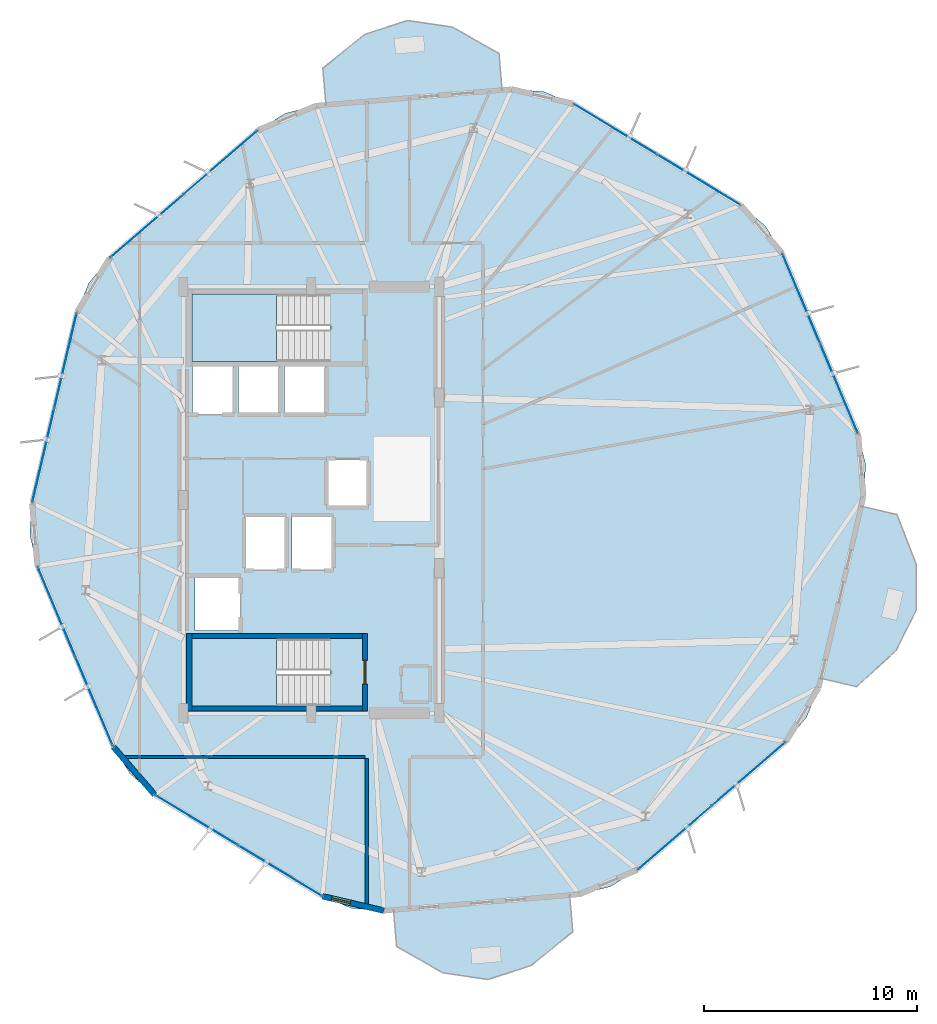
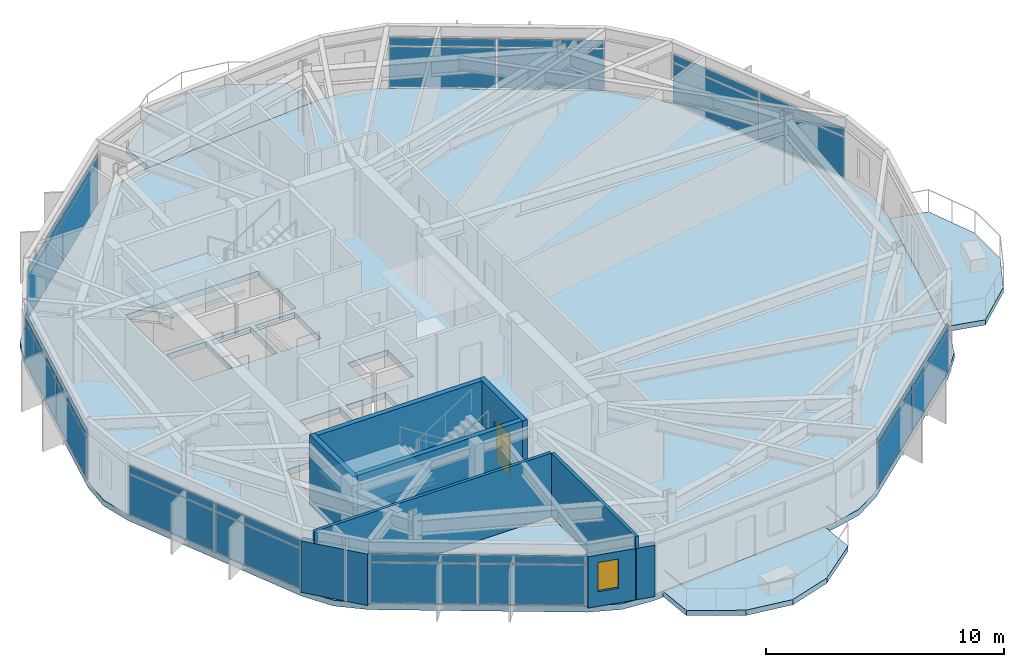
# One storey, part 21 of 27: 28 plates, 8 walls, 6 slabs, 1 door, 1 window, 2 openings, 9 elements without a shape of their own.
"""IFC4 building model written with IfcOpenShell, lengths in metres."""

from ifc_helpers import new_model, si_unit, direction, frame, frame_2d, origin, origin_2d, place, context, subcontext, project, spatial, polyline, rectangle, outline, extrude, material, layer, layer_set, type_object, element, fill, aggregate, save


model = new_model("IFC4")

# Units and contexts
model_context = context("Model", 3, precision=1e-05, world=origin(), true_north=direction((0.0, 1.0)))
body_context = subcontext(model_context, "Body", "Model", "MODEL_VIEW")
ifc_project = project(units=[si_unit("LENGTHUNIT", "METRE"), si_unit("AREAUNIT", "SQUARE_METRE"), si_unit("VOLUMEUNIT", "CUBIC_METRE"), si_unit("PLANEANGLEUNIT", "RADIAN"), si_unit("MASSUNIT", "GRAM", prefix="KILO")], contexts=[model_context])

# Site, building, storey
site_placement = place(None, origin())
site = spatial("IfcSite", under=ifc_project, at=site_placement, CompositionType="ELEMENT")
building_placement = place(site_placement, origin())
building = spatial("IfcBuilding", under=site, at=building_placement, Name="Soratama Intermodal Tower", CompositionType="ELEMENT")
storey_placement = place(building_placement, frame((0.0, 0.0, 182.199951171875)))
storey = spatial("IfcBuildingStorey", under=building, at=storey_placement, Name="L45", CompositionType="ELEMENT", Elevation=182.199951171875)

# Curtain wall, plates
ifc_material_1 = material(Name="Double-glazed aluminium curtain wall", Category="aluminium")
ifc_layer_1 = layer(ifc_material_1, 0.159912109375)
ifc_layer_set_1 = layer_set([ifc_layer_1], Name="Double-glazed aluminium curtain wall")
curtain_wall_type = type_object("IfcCurtainWallType", Name="CW-SYS-4", PredefinedType="NOTDEFINED", material=ifc_layer_set_1)
curtain_wall_1_placement = place(storey_placement, origin())
curtain_wall_1 = element("IfcCurtainWall", 1, at=curtain_wall_1_placement, inside=storey, type_object=curtain_wall_type, Name="L45 Faceted Curtain Wall F01", PredefinedType="NOTDEFINED")
ifc_material_2 = material(Name="Low-E laminated double glazing", Category="glass")
ifc_layer_2 = layer(ifc_material_2, 0.02392578125)
ifc_layer_set_2 = layer_set([ifc_layer_2], Name="Low-E laminated double glazing")
plate_type = type_object("IfcPlateType", Name="PT-CWP-4", PredefinedType="CURTAIN_PANEL", material=ifc_layer_set_2)
plate_1_placement = place(storey_placement, frame((56.762939453125, 40.017578125, 0.06005859375), z_axis=(0.0, 0.0, 1.0), x_axis=(-0.855364294156, 0.51802695324, 0.0)))
plate_1 = element("IfcPlate", 2, at=plate_1_placement, type_object=plate_type, Name="CW-4 panel 1.1", PredefinedType="CURTAIN_PANEL", context=body_context, shape_type="SweptSolid", body=[
    extrude(rectangle(XDim=4.504150390625, YDim=0.028076171875, at=origin_2d()), origin(), (0.0, 0.0, 1.0), 2.06005859375),
])
plate_2_placement = place(storey_placement, frame((56.762939453125, 40.017578125, 2.18017578125), z_axis=(0.0, 0.0, 1.0), x_axis=(-0.855364294156, 0.51802695324, 0.0)))
plate_2 = element("IfcPlate", 3, at=plate_2_placement, type_object=plate_type, Name="CW-4 panel 1.2", PredefinedType="CURTAIN_PANEL", context=body_context, shape_type="SweptSolid", body=[
    extrude(rectangle(XDim=4.504150390625, YDim=0.028076171875, at=origin_2d()), origin(), (0.0, 0.0, 1.0), 0.39892578125),
])
plate_3_placement = place(storey_placement, frame((52.85888671875, 42.3818359375, 0.06005859375), z_axis=(0.0, 0.0, 1.0), x_axis=(-0.855364294156, 0.51802695324, 0.0)))
plate_3 = element("IfcPlate", 4, at=plate_3_placement, type_object=plate_type, Name="CW-4 panel 2.1", PredefinedType="CURTAIN_PANEL", context=body_context, shape_type="SweptSolid", body=[
    extrude(rectangle(XDim=4.504150390625, YDim=0.028076171875, at=origin_2d()), origin(), (0.0, 0.0, 1.0), 2.06005859375),
])
plate_4_placement = place(storey_placement, frame((52.85888671875, 42.3818359375, 2.18017578125), z_axis=(0.0, 0.0, 1.0), x_axis=(-0.855364294156, 0.51802695324, 0.0)))
plate_4 = element("IfcPlate", 5, at=plate_4_placement, type_object=plate_type, Name="CW-4 panel 2.2", PredefinedType="CURTAIN_PANEL", context=body_context, shape_type="SweptSolid", body=[
    extrude(rectangle(XDim=4.504150390625, YDim=0.028076171875, at=origin_2d()), origin(), (0.0, 0.0, 1.0), 0.39892578125),
])
aggregate(curtain_wall_1, [plate_1, plate_2, plate_3, plate_4])

curtain_wall_2_placement = place(storey_placement, origin())
curtain_wall_2 = element("IfcCurtainWall", 6, at=curtain_wall_2_placement, inside=storey, type_object=curtain_wall_type, Name="L45 Faceted Curtain Wall F03", PredefinedType="NOTDEFINED")
plate_5_placement = place(storey_placement, frame((34.352294921875, 40.827880859375, 0.06005859375), z_axis=(0.0, 0.0, 1.0), x_axis=(-0.756992574495, -0.653423478427, 0.0)))
plate_5 = element("IfcPlate", 7, at=plate_5_placement, type_object=plate_type, Name="CW-4 panel 1.1", PredefinedType="CURTAIN_PANEL", context=body_context, shape_type="SweptSolid", body=[
    extrude(rectangle(XDim=4.504150390625, YDim=0.028076171875, at=origin_2d()), origin(), (0.0, 0.0, 1.0), 2.06005859375),
])
plate_6_placement = place(storey_placement, frame((34.352294921875, 40.827880859375, 2.18017578125), z_axis=(0.0, 0.0, 1.0), x_axis=(-0.756992574495, -0.653423478427, 0.0)))
plate_6 = element("IfcPlate", 8, at=plate_6_placement, type_object=plate_type, Name="CW-4 panel 1.2", PredefinedType="CURTAIN_PANEL", context=body_context, shape_type="SweptSolid", body=[
    extrude(rectangle(XDim=4.504150390625, YDim=0.028076171875, at=origin_2d()), origin(), (0.0, 0.0, 1.0), 0.39892578125),
])
plate_7_placement = place(storey_placement, frame((30.8974609375, 37.845703125, 0.06005859375), z_axis=(0.0, 0.0, 1.0), x_axis=(-0.756992574495, -0.653423478427, 0.0)))
plate_7 = element("IfcPlate", 9, at=plate_7_placement, type_object=plate_type, Name="CW-4 panel 2.1", PredefinedType="CURTAIN_PANEL", context=body_context, shape_type="SweptSolid", body=[
    extrude(rectangle(XDim=4.504150390625, YDim=0.028076171875, at=origin_2d()), origin(), (0.0, 0.0, 1.0), 2.06005859375),
])
plate_8_placement = place(storey_placement, frame((30.8974609375, 37.845703125, 2.18017578125), z_axis=(0.0, 0.0, 1.0), x_axis=(-0.756992574495, -0.653423478427, 0.0)))
plate_8 = element("IfcPlate", 10, at=plate_8_placement, type_object=plate_type, Name="CW-4 panel 2.2", PredefinedType="CURTAIN_PANEL", context=body_context, shape_type="SweptSolid", body=[
    extrude(rectangle(XDim=4.504150390625, YDim=0.028076171875, at=origin_2d()), origin(), (0.0, 0.0, 1.0), 0.39892578125),
])
aggregate(curtain_wall_2, [plate_5, plate_6, plate_7, plate_8])

curtain_wall_3_placement = place(storey_placement, origin())
curtain_wall_3 = element("IfcCurtainWall", 11, at=curtain_wall_3_placement, inside=storey, type_object=curtain_wall_type, Name="L45 Faceted Curtain Wall F04", PredefinedType="NOTDEFINED")
plate_9_placement = place(storey_placement, frame((27.08251953125, 31.54638671875, 0.06005859375), z_axis=(0.0, 0.0, 1.0), x_axis=(-0.228350749076, -0.973578931262, 0.0)))
plate_9 = element("IfcPlate", 12, at=plate_9_placement, type_object=plate_type, Name="CW-4 panel 1.1", PredefinedType="CURTAIN_PANEL", context=body_context, shape_type="SweptSolid", body=[
    extrude(rectangle(XDim=4.504150390625, YDim=0.028076171875, at=origin_2d()), origin(), (0.0, 0.0, 1.0), 2.06005859375),
])
plate_10_placement = place(storey_placement, frame((27.08251953125, 31.54638671875, 2.18017578125), z_axis=(0.0, 0.0, 1.0), x_axis=(-0.228350749076, -0.973578931262, 0.0)))
plate_10 = element("IfcPlate", 13, at=plate_10_placement, type_object=plate_type, Name="CW-4 panel 1.2", PredefinedType="CURTAIN_PANEL", context=body_context, shape_type="SweptSolid", body=[
    extrude(rectangle(XDim=4.504150390625, YDim=0.028076171875, at=origin_2d()), origin(), (0.0, 0.0, 1.0), 0.39892578125),
])
plate_11_placement = place(storey_placement, frame((26.040283203125, 27.10302734375, 0.06005859375), z_axis=(0.0, 0.0, 1.0), x_axis=(-0.228350749076, -0.973578931262, 0.0)))
plate_11 = element("IfcPlate", 14, at=plate_11_placement, type_object=plate_type, Name="CW-4 panel 2.1", PredefinedType="CURTAIN_PANEL", context=body_context, shape_type="SweptSolid", body=[
    extrude(rectangle(XDim=4.504150390625, YDim=0.028076171875, at=origin_2d()), origin(), (0.0, 0.0, 1.0), 2.06005859375),
])
plate_12_placement = place(storey_placement, frame((26.040283203125, 27.10302734375, 2.18017578125), z_axis=(0.0, 0.0, 1.0), x_axis=(-0.228350749076, -0.973578931262, 0.0)))
plate_12 = element("IfcPlate", 15, at=plate_12_placement, type_object=plate_type, Name="CW-4 panel 2.2", PredefinedType="CURTAIN_PANEL", context=body_context, shape_type="SweptSolid", body=[
    extrude(rectangle(XDim=4.504150390625, YDim=0.028076171875, at=origin_2d()), origin(), (0.0, 0.0, 1.0), 0.39892578125),
])
aggregate(curtain_wall_3, [plate_9, plate_10, plate_11, plate_12])

curtain_wall_4_placement = place(storey_placement, origin())
curtain_wall_4 = element("IfcCurtainWall", 16, at=curtain_wall_4_placement, inside=storey, type_object=curtain_wall_type, Name="L45 Faceted Curtain Wall F05", PredefinedType="NOTDEFINED")
plate_13_placement = place(storey_placement, frame((26.656494140625, 19.764404296875, 0.06005859375), z_axis=(0.0, 0.0, 1.0), x_axis=(0.387520745221, -0.921860983025, 0.0)))
plate_13 = element("IfcPlate", 17, at=plate_13_placement, type_object=plate_type, Name="CW-4 panel 1.1", PredefinedType="CURTAIN_PANEL", context=body_context, shape_type="SweptSolid", body=[
    extrude(rectangle(XDim=4.504150390625, YDim=0.028076171875, at=origin_2d()), origin(), (0.0, 0.0, 1.0), 2.06005859375),
])
plate_14_placement = place(storey_placement, frame((26.656494140625, 19.764404296875, 2.18017578125), z_axis=(0.0, 0.0, 1.0), x_axis=(0.387520745221, -0.921860983025, 0.0)))
plate_14 = element("IfcPlate", 18, at=plate_14_placement, type_object=plate_type, Name="CW-4 panel 1.2", PredefinedType="CURTAIN_PANEL", context=body_context, shape_type="SweptSolid", body=[
    extrude(rectangle(XDim=4.504150390625, YDim=0.028076171875, at=origin_2d()), origin(), (0.0, 0.0, 1.0), 0.39892578125),
])
plate_15_placement = place(storey_placement, frame((28.425048828125, 15.55712890625, 0.06005859375), z_axis=(0.0, 0.0, 1.0), x_axis=(0.387520745221, -0.921860983025, 0.0)))
plate_15 = element("IfcPlate", 19, at=plate_15_placement, type_object=plate_type, Name="CW-4 panel 2.1", PredefinedType="CURTAIN_PANEL", context=body_context, shape_type="SweptSolid", body=[
    extrude(rectangle(XDim=4.504150390625, YDim=0.028076171875, at=origin_2d()), origin(), (0.0, 0.0, 1.0), 2.06005859375),
])
plate_16_placement = place(storey_placement, frame((28.425048828125, 15.55712890625, 2.18017578125), z_axis=(0.0, 0.0, 1.0), x_axis=(0.387520745221, -0.921860983025, 0.0)))
plate_16 = element("IfcPlate", 20, at=plate_16_placement, type_object=plate_type, Name="CW-4 panel 2.2", PredefinedType="CURTAIN_PANEL", context=body_context, shape_type="SweptSolid", body=[
    extrude(rectangle(XDim=4.504150390625, YDim=0.028076171875, at=origin_2d()), origin(), (0.0, 0.0, 1.0), 0.39892578125),
])
aggregate(curtain_wall_4, [plate_13, plate_14, plate_15, plate_16])

curtain_wall_5_placement = place(storey_placement, origin())
curtain_wall_5 = element("IfcCurtainWall", 21, at=curtain_wall_5_placement, inside=storey, type_object=curtain_wall_type, Name="L45 Faceted Curtain Wall F06", PredefinedType="NOTDEFINED")
plate_17_placement = place(storey_placement, frame((33.237060546875, 9.982421875, 0.06005859375), z_axis=(0.0, 0.0, 1.0), x_axis=(0.855364294156, -0.51802695324, 0.0)))
plate_17 = element("IfcPlate", 22, at=plate_17_placement, type_object=plate_type, Name="CW-4 panel 1.1", PredefinedType="CURTAIN_PANEL", context=body_context, shape_type="SweptSolid", body=[
    extrude(rectangle(XDim=4.504150390625, YDim=0.028076171875, at=origin_2d()), origin(), (0.0, 0.0, 1.0), 2.06005859375),
])
plate_18_placement = place(storey_placement, frame((33.237060546875, 9.982421875, 2.18017578125), z_axis=(0.0, 0.0, 1.0), x_axis=(0.855364294156, -0.51802695324, 0.0)))
plate_18 = element("IfcPlate", 23, at=plate_18_placement, type_object=plate_type, Name="CW-4 panel 1.2", PredefinedType="CURTAIN_PANEL", context=body_context, shape_type="SweptSolid", body=[
    extrude(rectangle(XDim=4.504150390625, YDim=0.028076171875, at=origin_2d()), origin(), (0.0, 0.0, 1.0), 0.39892578125),
])
plate_19_placement = place(storey_placement, frame((37.14111328125, 7.6181640625, 0.06005859375), z_axis=(0.0, 0.0, 1.0), x_axis=(0.855364294156, -0.51802695324, 0.0)))
plate_19 = element("IfcPlate", 24, at=plate_19_placement, type_object=plate_type, Name="CW-4 panel 2.1", PredefinedType="CURTAIN_PANEL", context=body_context, shape_type="SweptSolid", body=[
    extrude(rectangle(XDim=4.504150390625, YDim=0.028076171875, at=origin_2d()), origin(), (0.0, 0.0, 1.0), 2.06005859375),
])
plate_20_placement = place(storey_placement, frame((37.14111328125, 7.6181640625, 2.18017578125), z_axis=(0.0, 0.0, 1.0), x_axis=(0.855364294156, -0.51802695324, 0.0)))
plate_20 = element("IfcPlate", 25, at=plate_20_placement, type_object=plate_type, Name="CW-4 panel 2.2", PredefinedType="CURTAIN_PANEL", context=body_context, shape_type="SweptSolid", body=[
    extrude(rectangle(XDim=4.504150390625, YDim=0.028076171875, at=origin_2d()), origin(), (0.0, 0.0, 1.0), 0.39892578125),
])
aggregate(curtain_wall_5, [plate_17, plate_18, plate_19, plate_20])

curtain_wall_6_placement = place(storey_placement, origin())
curtain_wall_6 = element("IfcCurtainWall", 26, at=curtain_wall_6_placement, inside=storey, type_object=curtain_wall_type, Name="L45 Faceted Curtain Wall F08", PredefinedType="NOTDEFINED")
plate_21_placement = place(storey_placement, frame((55.647705078125, 9.172119140625, 0.06005859375), z_axis=(0.0, 0.0, 1.0), x_axis=(0.756992574495, 0.653423478427, 0.0)))
plate_21 = element("IfcPlate", 27, at=plate_21_placement, type_object=plate_type, Name="CW-4 panel 1.1", PredefinedType="CURTAIN_PANEL", context=body_context, shape_type="SweptSolid", body=[
    extrude(rectangle(XDim=4.504150390625, YDim=0.028076171875, at=origin_2d()), origin(), (0.0, 0.0, 1.0), 2.06005859375),
])
plate_22_placement = place(storey_placement, frame((55.647705078125, 9.172119140625, 2.18017578125), z_axis=(0.0, 0.0, 1.0), x_axis=(0.756992574495, 0.653423478427, 0.0)))
plate_22 = element("IfcPlate", 28, at=plate_22_placement, type_object=plate_type, Name="CW-4 panel 1.2", PredefinedType="CURTAIN_PANEL", context=body_context, shape_type="SweptSolid", body=[
    extrude(rectangle(XDim=4.504150390625, YDim=0.028076171875, at=origin_2d()), origin(), (0.0, 0.0, 1.0), 0.39892578125),
])
plate_23_placement = place(storey_placement, frame((59.1025390625, 12.154296875, 0.06005859375), z_axis=(0.0, 0.0, 1.0), x_axis=(0.756992574495, 0.653423478427, 0.0)))
plate_23 = element("IfcPlate", 29, at=plate_23_placement, type_object=plate_type, Name="CW-4 panel 2.1", PredefinedType="CURTAIN_PANEL", context=body_context, shape_type="SweptSolid", body=[
    extrude(rectangle(XDim=4.504150390625, YDim=0.028076171875, at=origin_2d()), origin(), (0.0, 0.0, 1.0), 2.06005859375),
])
plate_24_placement = place(storey_placement, frame((59.1025390625, 12.154296875, 2.18017578125), z_axis=(0.0, 0.0, 1.0), x_axis=(0.756992574495, 0.653423478427, 0.0)))
plate_24 = element("IfcPlate", 30, at=plate_24_placement, type_object=plate_type, Name="CW-4 panel 2.2", PredefinedType="CURTAIN_PANEL", context=body_context, shape_type="SweptSolid", body=[
    extrude(rectangle(XDim=4.504150390625, YDim=0.028076171875, at=origin_2d()), origin(), (0.0, 0.0, 1.0), 0.39892578125),
])
aggregate(curtain_wall_6, [plate_21, plate_22, plate_23, plate_24])

curtain_wall_7_placement = place(storey_placement, origin())
curtain_wall_7 = element("IfcCurtainWall", 31, at=curtain_wall_7_placement, inside=storey, type_object=curtain_wall_type, Name="L45 Faceted Curtain Wall F10", PredefinedType="NOTDEFINED")
plate_25_placement = place(storey_placement, frame((63.343505859375, 30.235595703125, 0.06005859375), z_axis=(0.0, 0.0, 1.0), x_axis=(-0.387520745221, 0.921860983025, 0.0)))
plate_25 = element("IfcPlate", 32, at=plate_25_placement, type_object=plate_type, Name="CW-4 panel 1.1", PredefinedType="CURTAIN_PANEL", context=body_context, shape_type="SweptSolid", body=[
    extrude(rectangle(XDim=4.504150390625, YDim=0.028076171875, at=origin_2d()), origin(), (0.0, 0.0, 1.0), 2.06005859375),
])
plate_26_placement = place(storey_placement, frame((63.343505859375, 30.235595703125, 2.18017578125), z_axis=(0.0, 0.0, 1.0), x_axis=(-0.387520745221, 0.921860983025, 0.0)))
plate_26 = element("IfcPlate", 33, at=plate_26_placement, type_object=plate_type, Name="CW-4 panel 1.2", PredefinedType="CURTAIN_PANEL", context=body_context, shape_type="SweptSolid", body=[
    extrude(rectangle(XDim=4.504150390625, YDim=0.028076171875, at=origin_2d()), origin(), (0.0, 0.0, 1.0), 0.39892578125),
])
plate_27_placement = place(storey_placement, frame((61.574951171875, 34.44287109375, 0.06005859375), z_axis=(0.0, 0.0, 1.0), x_axis=(-0.387520745221, 0.921860983025, 0.0)))
plate_27 = element("IfcPlate", 34, at=plate_27_placement, type_object=plate_type, Name="CW-4 panel 2.1", PredefinedType="CURTAIN_PANEL", context=body_context, shape_type="SweptSolid", body=[
    extrude(rectangle(XDim=4.504150390625, YDim=0.028076171875, at=origin_2d()), origin(), (0.0, 0.0, 1.0), 2.06005859375),
])
plate_28_placement = place(storey_placement, frame((61.574951171875, 34.44287109375, 2.18017578125), z_axis=(0.0, 0.0, 1.0), x_axis=(-0.387520745221, 0.921860983025, 0.0)))
plate_28 = element("IfcPlate", 35, at=plate_28_placement, type_object=plate_type, Name="CW-4 panel 2.2", PredefinedType="CURTAIN_PANEL", context=body_context, shape_type="SweptSolid", body=[
    extrude(rectangle(XDim=4.504150390625, YDim=0.028076171875, at=origin_2d()), origin(), (0.0, 0.0, 1.0), 0.39892578125),
])
aggregate(curtain_wall_7, [plate_25, plate_26, plate_27, plate_28])

# Slabs
ifc_material_3 = material(Name="Concrete f'c 42 MPa", Category="concrete")
ifc_layer_3 = layer(ifc_material_3, 0.27001953125)
ifc_layer_set_3 = layer_set([ifc_layer_3], Name="Concrete f'c 42 MPa")
slab_type_1 = type_object("IfcSlabType", Name="SL-EXT-BAL1", PredefinedType="FLOOR", material=ifc_layer_set_3)
slab_1_placement = place(storey_placement, frame((0.0, 0.0, -0.27001953125)))
element("IfcSlab", 36, at=slab_1_placement, inside=storey, type_object=slab_type_1, Name="L45 Planted Balcony East 1", PredefinedType="FLOOR", context=body_context, shape_type="SweptSolid", body=[
    extrude(outline(polyline([(62.492431640625, 16.640625), (64.385009765625, 24.709716796875), (66.0595703125, 24.31689453125), (66.964111328125, 21.9765625), (66.962890625, 19.8486328125), (66.017822265625, 17.942138671875), (64.1669921875, 16.247802734375), (62.492431640625, 16.640625)])), origin(), (0.0, 0.0, 1.0), 0.27001953125),
])
slab_2_placement = place(storey_placement, frame((0.0, 0.0, -0.27001953125)))
element("IfcSlab", 37, at=slab_2_placement, inside=storey, type_object=slab_type_1, Name="L45 Planted Balcony North 2", PredefinedType="FLOOR", context=body_context, shape_type="SweptSolid", body=[
    extrude(outline(polyline([(47.544921875, 44.219482421875), (39.28564453125, 43.52587890625), (39.141845703125, 45.23974609375), (41.088134765625, 46.823486328125), (43.1123046875, 47.47998046875), (45.217529296875, 47.170166015625), (47.40087890625, 45.933349609375), (47.544921875, 44.219482421875)])), origin(), (0.0, 0.0, 1.0), 0.27001953125),
])
slab_3_placement = place(storey_placement, frame((0.0, 0.0, -0.27001953125)))
element("IfcSlab", 38, at=slab_3_placement, inside=storey, type_object=slab_type_1, Name="L45 Planted Balcony South 3", PredefinedType="FLOOR", context=body_context, shape_type="SweptSolid", body=[
    extrude(outline(polyline([(42.455078125, 5.780517578125), (50.71435546875, 6.47412109375), (50.858154296875, 4.76025390625), (48.911865234375, 3.176513671875), (46.8876953125, 2.52001953125), (44.782470703125, 2.829833984375), (42.59912109375, 4.066650390625), (42.455078125, 5.780517578125)])), origin(), (0.0, 0.0, 1.0), 0.27001953125),
])

# Stair, slab
ifc_material_4 = material(Name="Concrete f'c 42 MPa", Category="concrete")
stair_type = type_object("IfcStairType", Name="ST-CORE-DOGLEG", PredefinedType="HALF_TURN_STAIR", material=ifc_material_4)
stair_1_placement = place(storey_placement, origin())
stair_1 = element("IfcStair", 39, at=stair_1_placement, inside=storey, type_object=stair_type, Name="L45 ST-1", PredefinedType="HALF_TURN_STAIR")
ifc_material_5 = material(Name="Concrete f'c 42 MPa", Category="concrete")
ifc_layer_4 = layer(ifc_material_5, 0.219970703125)
ifc_layer_set_4 = layer_set([ifc_layer_4], Name="Concrete f'c 42 MPa")
slab_type_2 = type_object("IfcSlabType", Name="SL-STAIR-LAND", PredefinedType="LANDING", material=ifc_layer_set_4)
slab_4_placement = place(storey_placement, frame((0.0, 0.0, 1.60009765625)))
slab_4 = element("IfcSlab", 40, at=slab_4_placement, type_object=slab_type_2, Name="ST-1 landing 1", PredefinedType="LANDING", context=body_context, shape_type="SweptSolid", body=[
    extrude(outline(polyline([(36.97998046875, 18.5), (33.0, 18.5), (33.0, 15.35009765625), (36.97998046875, 15.35009765625), (36.97998046875, 18.5)])), origin(), (0.0, 0.0, 1.0), 0.199951171875),
])
aggregate(stair_1, [slab_4])

stair_2_placement = place(storey_placement, origin())
stair_2 = element("IfcStair", 41, at=stair_2_placement, inside=storey, type_object=stair_type, Name="L45 ST-2", PredefinedType="HALF_TURN_STAIR")
slab_5_placement = place(storey_placement, frame((0.0, 0.0, 1.60009765625)))
slab_5 = element("IfcSlab", 42, at=slab_5_placement, type_object=slab_type_2, Name="ST-2 landing 1", PredefinedType="LANDING", context=body_context, shape_type="SweptSolid", body=[
    extrude(outline(polyline([(36.97998046875, 34.64990234375), (33.0, 34.64990234375), (33.0, 31.5), (36.97998046875, 31.5), (36.97998046875, 34.64990234375)])), origin(), (0.0, 0.0, 1.0), 0.199951171875),
])
aggregate(stair_2, [slab_5])

# Slab
ifc_material_6 = material(Name="Concrete f'c 42 MPa", Category="concrete")
ifc_layer_5 = layer(ifc_material_6, 0.280029296875)
ifc_layer_set_5 = layer_set([ifc_layer_5], Name="Concrete f'c 42 MPa")
slab_type_3 = type_object("IfcSlabType", Name="SL-TWR-280", PredefinedType="FLOOR", material=ifc_layer_set_5)
slab_6_placement = place(storey_placement, frame((0.0, 0.0, -0.300048828125)))
element("IfcSlab", 43, at=slab_6_placement, inside=storey, type_object=slab_type_3, Name="L45 Structural Floor Slab", PredefinedType="FLOOR", context=body_context, shape_type="SweptSolid", body=[
    extrude(outline(polyline([(60.678955078125, 36.57421875), (59.8876953125, 37.8505859375), (58.740478515625, 38.81982421875), (50.88134765625, 43.57958984375), (49.490966796875, 44.147216796875), (47.9931640625, 44.257080078125), (38.83740234375, 43.48828125), (37.37890625, 43.1298828125), (36.1025390625, 42.338623046875), (29.147216796875, 36.3349609375), (28.177734375, 35.18798828125), (27.6103515625, 33.79736328125), (25.51220703125, 24.85205078125), (25.40234375, 23.354248046875), (25.760498046875, 21.89599609375), (29.321044921875, 13.42578125), (30.1123046875, 12.1494140625), (31.259521484375, 11.18017578125), (39.11865234375, 6.42041015625), (40.509033203125, 5.852783203125), (42.0068359375, 5.742919921875), (51.16259765625, 6.51171875), (52.62109375, 6.8701171875), (53.8974609375, 7.661376953125), (60.852783203125, 13.6650390625), (61.822265625, 14.81201171875), (62.3896484375, 16.20263671875), (64.48779296875, 25.14794921875), (64.59765625, 26.645751953125), (64.239501953125, 28.10400390625), (60.678955078125, 36.57421875)]), holes=[polyline([(33.0, 18.5), (33.0, 15.35009765625), (39.47509765625, 15.35009765625), (39.47509765625, 18.5), (33.0, 18.5)]), polyline([(35.260009765625, 21.409912109375), (33.139892578125, 21.409912109375), (33.139892578125, 18.889892578125), (35.260009765625, 18.889892578125), (35.260009765625, 21.409912109375)]), polyline([(37.409912109375, 24.260009765625), (35.489990234375, 24.260009765625), (35.489990234375, 21.739990234375), (37.409912109375, 21.739990234375), (37.409912109375, 24.260009765625)]), polyline([(39.610107421875, 24.260009765625), (37.68994140625, 24.260009765625), (37.68994140625, 21.739990234375), (39.610107421875, 21.739990234375), (39.610107421875, 24.260009765625)]), polyline([(41.260009765625, 26.909912109375), (39.340087890625, 26.909912109375), (39.340087890625, 24.68994140625), (41.260009765625, 24.68994140625), (41.260009765625, 26.909912109375)]), polyline([(34.9599609375, 31.260009765625), (33.0400390625, 31.260009765625), (33.0400390625, 29.0400390625), (34.9599609375, 29.0400390625), (34.9599609375, 31.260009765625)]), polyline([(37.110107421875, 31.260009765625), (35.18994140625, 31.260009765625), (35.18994140625, 29.0400390625), (37.110107421875, 29.0400390625), (37.110107421875, 31.260009765625)]), polyline([(39.260009765625, 29.0400390625), (39.260009765625, 31.260009765625), (37.340087890625, 31.260009765625), (37.340087890625, 29.0400390625), (39.260009765625, 29.0400390625)]), polyline([(39.47509765625, 34.64990234375), (33.0, 34.64990234375), (33.0, 31.5), (39.47509765625, 31.5), (39.47509765625, 34.64990234375)])]), origin(), (0.0, 0.0, 1.0), 0.300048828125),
])

# Wall
ifc_material_7 = material(Name="Concrete f'c 42 MPa", Category="concrete")
ifc_layer_6 = layer(ifc_material_7, 0.27001953125)
ifc_layer_set_6 = layer_set([ifc_layer_6], Name="Concrete f'c 42 MPa")
wall_type_1 = type_object("IfcWallType", Name="EW-CRN-270", PredefinedType="SOLIDWALL", material=ifc_layer_set_6)
wall_1_placement = place(storey_placement, frame((29.321044921875, 13.42578125, 0.0), z_axis=(0.0, 0.0, 1.0), x_axis=(0.653444154336, -0.756974726899, 0.0)))
element("IfcWall", 44, at=wall_1_placement, inside=storey, type_object=wall_type_1, Name="L45 Corner Closure Wall 05", PredefinedType="SOLIDWALL", context=body_context, shape_type="SweptSolid", body=[
    extrude(rectangle(XDim=2.966552734375, YDim=0.27001953125, at=frame_2d((1.4833984375, 0.0))), origin(), (0.0, 0.0, 1.0), 2.63916015625),
])

# Wall, opening, window
wall_2_placement = place(storey_placement, frame((39.11865234375, 6.42041015625, 0.0), z_axis=(0.0, 0.0, 1.0), x_axis=(0.973573440302, -0.228374158651, 0.0)))
wall_2 = element("IfcWall", 45, at=wall_2_placement, inside=storey, type_object=wall_type_1, Name="L45 Corner Closure Wall 06", PredefinedType="SOLIDWALL", context=body_context, shape_type="SweptSolid", body=[
    extrude(rectangle(XDim=2.966552734375, YDim=0.27001953125, at=frame_2d((1.4833984375, 0.0))), origin(), (0.0, 0.0, 1.0), 2.63916015625),
])
opening_1_placement = place(wall_2_placement, frame((0.449951171875, 0.0, 0.75)))
opening_1 = element("IfcOpeningElement", 46, at=opening_1_placement, cuts=wall_2, Name="Opening WN-6", PredefinedType="OPENING", context=body_context, shape_type="SweptSolid", body=[
    extrude(rectangle(XDim=0.89990234375, YDim=1.5, at=frame_2d((0.449951171875, 0.75))), frame((0.0, 0.14501953125, 0.0), z_axis=(0.0, -1.0, 0.0), x_axis=(1.0, 0.0, 0.0)), (0.0, 0.0, 1.0), 0.2900390625),
])
ifc_material_8 = material(Name="Double-glazed aluminium window", Category="aluminium")
window_type = type_object("IfcWindowType", Name="WN-FAC-900", PartitioningType="SINGLE_PANEL", PredefinedType="WINDOW", material=ifc_material_8)
window_placement = place(opening_1_placement, origin())
window = element("IfcWindow", 47, at=window_placement, inside=storey, type_object=window_type, Name="L45 Corner Window 06", OverallHeight=1.5, OverallWidth=0.89990234375, PartitioningType="SINGLE_PANEL", PredefinedType="WINDOW", context=body_context, shape_type="SweptSolid", body=[
    extrude(rectangle(XDim=0.89990234375, YDim=1.5, at=frame_2d((0.449951171875, 0.75))), frame((0.0, 0.030029296875, 0.0), z_axis=(0.0, -1.0, 0.0), x_axis=(1.0, 0.0, 0.0)), (0.0, 0.0, 1.0), 0.06005859375),
])
fill(opening_1, window)

# Walls
ifc_material_9 = material(Name="Fire-rated gypsum stud partition", Category="concrete")
ifc_layer_7 = layer(ifc_material_9, 0.14990234375)
ifc_layer_set_7 = layer_set([ifc_layer_7], Name="Fire-rated gypsum stud partition")
wall_type_2 = type_object("IfcWallType", Name="IW-PART-R150", PredefinedType="PARTITIONING", material=ifc_layer_set_7)
wall_3_placement = place(storey_placement, frame((41.1298828125, 12.949951171875, 0.0), z_axis=(0.0, 0.0, 1.0), x_axis=(-1.0, 0.0, 0.0)))
element("IfcWall", 48, at=wall_3_placement, inside=storey, type_object=wall_type_2, Name="L45 Partition W-L45-TP006", PredefinedType="PARTITIONING", context=body_context, shape_type="SweptSolid", body=[
    extrude(rectangle(XDim=11.513916015625, YDim=0.14990234375, at=frame_2d((5.7568359375, 0.0))), origin(), (0.0, 0.0, 1.0), 3.260009765625),
])
wall_4_placement = place(storey_placement, frame((41.199951171875, 5.802001953125, 0.0), z_axis=(0.0, 0.0, 1.0), x_axis=(0.0, 1.0, 0.0)))
element("IfcWall", 49, at=wall_4_placement, inside=storey, type_object=wall_type_2, Name="L45 Partition W-L45-TP010", PredefinedType="PARTITIONING", context=body_context, shape_type="SweptSolid", body=[
    extrude(rectangle(XDim=7.077880859375, YDim=0.14990234375, at=frame_2d((3.5390625, 0.0))), origin(), (0.0, 0.0, 1.0), 3.260009765625),
])
ifc_material_10 = material(Name="Concrete f'c 56 MPa", Category="concrete")
ifc_layer_8 = layer(ifc_material_10, 0.239990234375)
ifc_layer_set_8 = layer_set([ifc_layer_8], Name="Concrete f'c 56 MPa")
wall_type_3 = type_object("IfcWallType", Name="SW-STAIR-240", PredefinedType="SHEAR", material=ifc_layer_set_8)
wall_5_placement = place(storey_placement, frame((32.8798828125, 15.110107421875, 0.0), z_axis=(0.0, 0.0, 1.0), x_axis=(0.0, 1.0, 0.0)))
element("IfcWall", 50, at=wall_5_placement, inside=storey, type_object=wall_type_3, Name="L45 ST-1 Shaft Shear Wall W", PredefinedType="SHEAR", context=body_context, shape_type="SweptSolid", body=[
    extrude(rectangle(XDim=3.6298828125, YDim=0.239990234375, at=frame_2d((1.81494140625, 0.0))), origin(), (0.0, 0.0, 1.0), 3.60009765625),
])

# Wall, opening, door
wall_6_placement = place(storey_placement, frame((41.1201171875, 15.110107421875, 0.0), z_axis=(0.0, 0.0, 1.0), x_axis=(0.0, 1.0, 0.0)))
wall_6 = element("IfcWall", 51, at=wall_6_placement, inside=storey, type_object=wall_type_3, Name="L45 ST-1 Shaft Shear Wall E", PredefinedType="SHEAR", context=body_context, shape_type="SweptSolid", body=[
    extrude(rectangle(XDim=3.6298828125, YDim=0.239990234375, at=frame_2d((1.81494140625, 0.0))), origin(), (0.0, 0.0, 1.0), 3.60009765625),
])
opening_2_placement = place(wall_6_placement, frame((1.2548828125, 0.0, 0.0)))
opening_2 = element("IfcOpeningElement", 52, at=opening_2_placement, cuts=wall_6, Name="Opening SD-1", PredefinedType="OPENING", context=body_context, shape_type="SweptSolid", body=[
    extrude(rectangle(XDim=1.1201171875, YDim=2.14990234375, at=frame_2d((0.56005859375, 1.074951171875))), frame((0.0, 0.1298828125, 0.0), z_axis=(0.0, -1.0, 0.0), x_axis=(1.0, 0.0, 0.0)), (0.0, 0.0, 1.0), 0.260009765625),
])
ifc_material_11 = material(Name="Steel fire door", Category="steel")
door_type = type_object("IfcDoorType", Name="DR-STAIR-FD90", OperationType="NOTDEFINED", PredefinedType="DOOR", material=ifc_material_11)
door_placement = place(opening_2_placement, origin())
door = element("IfcDoor", 53, at=door_placement, inside=storey, type_object=door_type, Name="L45 ST-1 Exit Stair Door", OperationType="SINGLE_SWING_LEFT", OverallHeight=2.14990234375, OverallWidth=1.1201171875, PredefinedType="DOOR", context=body_context, shape_type="SweptSolid", body=[
    extrude(rectangle(XDim=1.1201171875, YDim=2.14990234375, at=frame_2d((0.56005859375, 1.074951171875))), frame((0.0, 0.02490234375, 0.0), z_axis=(0.0, -1.0, 0.0), x_axis=(1.0, 0.0, 0.0)), (0.0, 0.0, 1.0), 0.050048828125),
])
fill(opening_2, door)

# Walls
for number, where, z_axis, x_axis, name in (
    (54, (33.0, 15.22998046875, 0.0), (0.0, 0.0, 1.0), (1.0, 0.0, 0.0), "L45 ST-1 Shaft Shear Wall S"),
    (55, (33.0, 18.6201171875, 0.0), (0.0, 0.0, 1.0), (1.0, 0.0, 0.0), "L45 ST-1 Shaft Shear Wall N"),
):
    element("IfcWall", number, at=place(storey_placement, frame(where, z_axis=z_axis, x_axis=x_axis)), inside=storey, type_object=wall_type_3, Name=name, PredefinedType="SHEAR", context=body_context, shape_type="SweptSolid", body=[
        extrude(rectangle(XDim=8.0, YDim=0.239990234375, at=frame_2d((4.0, 0.0))), origin(), (0.0, 0.0, 1.0), 3.60009765625),
    ])

save(model, "model.ifc")
